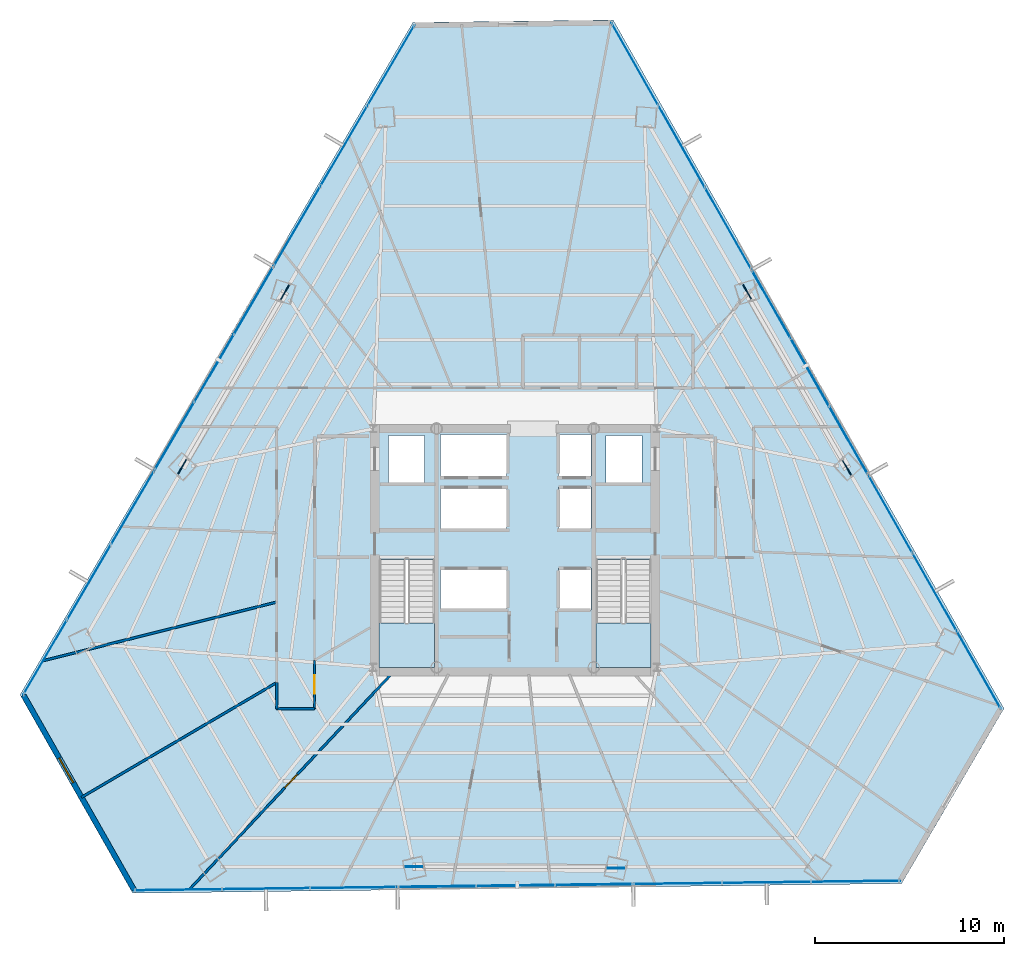
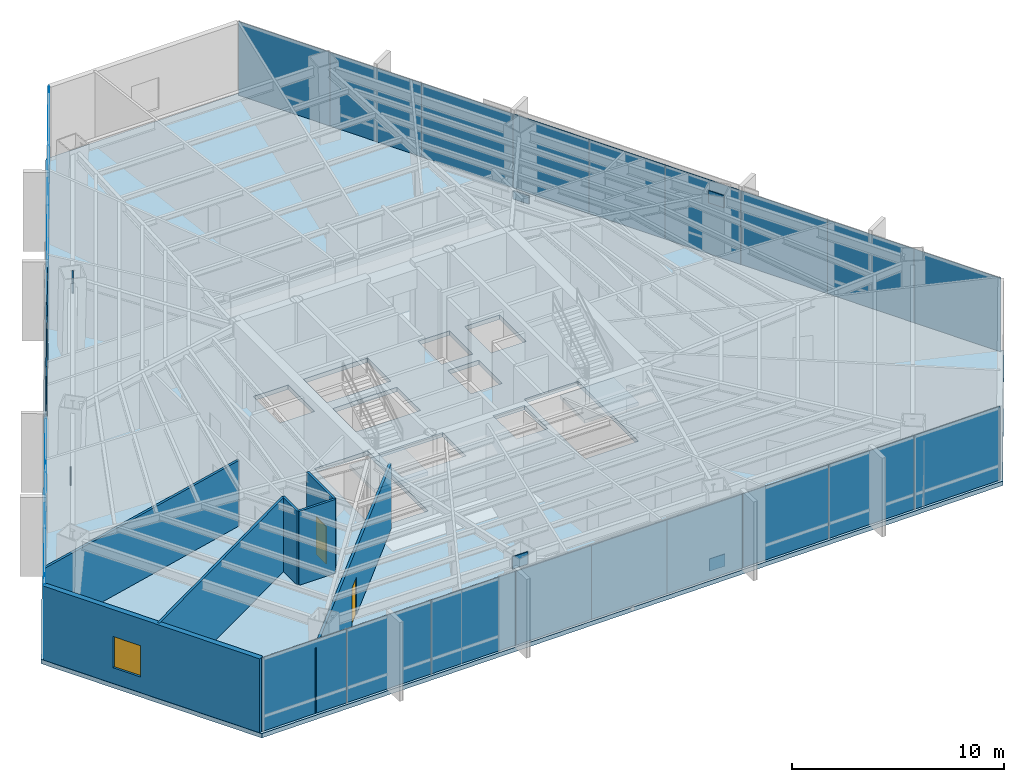
# One storey, part 30 of 37: 33 plates, 7 walls, 3 slabs, 2 doors, 1 window, 3 openings, 11 elements without a shape of their own.
"""IFC4 building model written with IfcOpenShell, lengths in metres."""

from ifc_helpers import new_model, si_unit, direction, frame, frame_2d, origin, origin_2d, place, context, subcontext, project, spatial, polyline, rectangle, outline, extrude, source, transform, mapped, material, layer, layer_set, type_object, type_shapes, element, fill, aggregate, save


model = new_model("IFC4")

# Units and contexts
model_context = context("Model", 3, precision=1e-05, world=origin(), true_north=direction((0.0, 1.0)))
body_context = subcontext(model_context, "Body", "Model", "MODEL_VIEW")
ifc_project = project(units=[si_unit("LENGTHUNIT", "METRE"), si_unit("AREAUNIT", "SQUARE_METRE"), si_unit("VOLUMEUNIT", "CUBIC_METRE"), si_unit("PLANEANGLEUNIT", "RADIAN"), si_unit("MASSUNIT", "GRAM", prefix="KILO")], contexts=[model_context])

# Site, building, storey
site_placement = place(None, origin())
site = spatial("IfcSite", under=ifc_project, at=site_placement, CompositionType="ELEMENT")
building_placement = place(site_placement, origin())
building = spatial("IfcBuilding", under=site, at=building_placement, Name="Caelisora Broadcast Tower", CompositionType="ELEMENT")
storey_placement = place(building_placement, frame((0.0, 0.0, 127.300048828125)))
storey = spatial("IfcBuildingStorey", under=building, at=storey_placement, Name="L33", CompositionType="ELEMENT", Elevation=127.300048828125)

# Slab
ifc_material_1 = material(Name="Concrete 40 MPa (AS 3600 N40)", Category="concrete")
ifc_layer_1 = layer(ifc_material_1, 0.25, Name="Concrete 40 MPa (AS 3600 N40)")
ifc_layer_set_1 = layer_set([ifc_layer_1], Name="Concrete 40 MPa (AS 3600 N40)")
slab_type_1 = type_object("IfcSlabType", Name="SL04", PredefinedType="FLOOR", material=ifc_layer_set_1)
slab_1_placement = place(storey_placement, frame((0.0, 0.0, -0.25)))
element("IfcSlab", 1, at=slab_1_placement, inside=storey, type_object=slab_type_1, Name="L33 suspended floor SL04", PredefinedType="FLOOR", context=body_context, shape_type="SweptSolid", body=[
    extrude(outline(polyline([(43.176025390625, 51.5869140625), (32.593994140625, 51.4541015625), (11.845947265625, 15.947021484375), (17.797119140625, 5.464111328125), (58.4130859375, 5.972900390625), (63.819091796875, 15.222900390625), (43.176025390625, 51.5869140625)]), holes=[polyline([(30.820068359375, 17.39990234375), (33.739990234375, 17.39990234375), (33.739990234375, 23.080078125), (30.820068359375, 23.080078125), (30.820068359375, 17.39990234375)]), polyline([(42.260009765625, 17.39990234375), (45.179931640625, 17.39990234375), (45.179931640625, 23.080078125), (42.260009765625, 23.080078125), (42.260009765625, 17.39990234375)]), polyline([(42.800048828125, 27.14990234375), (44.699951171875, 27.14990234375), (44.699951171875, 29.64990234375), (42.800048828125, 29.64990234375), (42.800048828125, 27.14990234375)]), polyline([(40.300048828125, 20.429931640625), (42.0, 20.429931640625), (42.0, 22.6298828125), (40.300048828125, 22.6298828125), (40.300048828125, 20.429931640625)]), polyline([(40.300048828125, 24.719970703125), (42.0, 24.719970703125), (42.0, 26.919921875), (40.300048828125, 26.919921875), (40.300048828125, 24.719970703125)]), polyline([(40.300048828125, 27.5), (42.0, 27.5), (42.0, 29.699951171875), (40.300048828125, 29.699951171875), (40.300048828125, 27.5)]), polyline([(34.050048828125, 20.429931640625), (37.550048828125, 20.429931640625), (37.550048828125, 22.6298828125), (34.050048828125, 22.6298828125), (34.050048828125, 20.429931640625)]), polyline([(34.050048828125, 24.719970703125), (37.550048828125, 24.719970703125), (37.550048828125, 26.919921875), (34.050048828125, 26.919921875), (34.050048828125, 24.719970703125)]), polyline([(34.050048828125, 27.5), (37.550048828125, 27.5), (37.550048828125, 29.699951171875), (34.050048828125, 29.699951171875), (34.050048828125, 27.5)]), polyline([(31.300048828125, 27.14990234375), (33.199951171875, 27.14990234375), (33.199951171875, 29.64990234375), (31.300048828125, 29.64990234375), (31.300048828125, 27.14990234375)])]), origin(), (0.0, 0.0, 1.0), 0.25),
])

# Stair, slab
stair_type_1 = type_object("IfcStairType", Name="ST-1", PredefinedType="HALF_TURN_STAIR", material=ifc_material_1)
stair_1_placement = place(storey_placement, origin())
stair_1 = element("IfcStair", 2, at=stair_1_placement, inside=storey, type_object=stair_type_1, Name="L33 West Fire-Isolated Tower Stair", PredefinedType="HALF_TURN_STAIR")
ifc_layer_2 = layer(ifc_material_1, 0.199951171875, Name="Concrete 40 MPa (AS 3600 N40)")
ifc_layer_set_2 = layer_set([ifc_layer_2], Name="Concrete 40 MPa (AS 3600 N40)")
slab_type_2 = type_object("IfcSlabType", Name="STL-1", PredefinedType="LANDING", material=ifc_layer_set_2)
slab_2_placement = place(storey_placement, frame((0.0, 0.0, 2.050048828125)))
slab_2 = element("IfcSlab", 3, at=slab_2_placement, type_object=slab_type_2, Name="ST-1 landing 1", PredefinedType="LANDING", context=body_context, shape_type="SweptSolid", body=[
    extrude(outline(polyline([(30.820068359375, 19.739990234375), (30.820068359375, 17.39990234375), (33.739990234375, 17.39990234375), (33.739990234375, 19.739990234375), (30.820068359375, 19.739990234375)])), origin(), (0.0, 0.0, 1.0), 0.199951171875),
])
aggregate(stair_1, [slab_2])

stair_type_2 = type_object("IfcStairType", Name="ST-2", PredefinedType="HALF_TURN_STAIR", material=ifc_material_1)
stair_2_placement = place(storey_placement, origin())
stair_2 = element("IfcStair", 4, at=stair_2_placement, inside=storey, type_object=stair_type_2, Name="L33 East Fire-Isolated Tower Stair", PredefinedType="HALF_TURN_STAIR")
slab_3_placement = place(storey_placement, frame((0.0, 0.0, 2.050048828125)))
slab_3 = element("IfcSlab", 5, at=slab_3_placement, type_object=slab_type_2, Name="ST-2 landing 1", PredefinedType="LANDING", context=body_context, shape_type="SweptSolid", body=[
    extrude(outline(polyline([(42.260009765625, 19.739990234375), (42.260009765625, 17.39990234375), (45.179931640625, 17.39990234375), (45.179931640625, 19.739990234375), (42.260009765625, 19.739990234375)])), origin(), (0.0, 0.0, 1.0), 0.199951171875),
])
aggregate(stair_2, [slab_3])

# Plates
ifc_material_2 = material(Name="Steel Grade 350 L15 (AS/NZS 3678)", Category="steel")
ifc_layer_3 = layer(ifc_material_2, 0.050048828125, Name="Steel Grade 350 L15 (AS/NZS 3678)")
ifc_layer_set_3 = layer_set([ifc_layer_3], Name="Steel Grade 350 L15 (AS/NZS 3678)")
plate_type_1 = type_object("IfcPlateType", Name="GP03", PredefinedType="USERDEFINED", material=ifc_layer_set_3)
shared_shape_1 = source(origin(), body_context, "Body", "SweptSolid", [
    extrude(rectangle(XDim=0.85009765625, YDim=0.050048828125, at=origin_2d()), origin(), (0.0, 0.0, 1.0), 0.699951171875),
])
type_shapes(plate_type_1, [shared_shape_1])
for number, where, z_axis, x_axis, name in (
    (6, (25.832275390625, 37.197265625, 3.580078125), (0.0, 0.0, 1.0), (-0.5, -0.866025403784, 0.0), "L33 gusset plate GP03 (ND-L33-C02T)"),
    (7, (20.419921875, 28.0009765625, -0.22998046875), (0.0, 0.0, 1.0), (-0.5, -0.866025403784, 0.0), "L33 gusset plate GP03 (ND-L33-C03B)"),
    (8, (32.65478515625, 6.864013671875, 3.580078125), (0.0, 0.0, 1.0), (1.0, 0.0, 0.0), "L33 gusset plate GP03 (ND-L33-C06T)"),
    (9, (43.324951171875, 6.77490234375, -0.22998046875), (0.0, 0.0, 1.0), (1.0, 0.0, 0.0), "L33 gusset plate GP03 (ND-L33-C07B)"),
    (10, (55.512939453125, 27.93896484375, 3.580078125), (0.0, 0.0, 1.0), (-0.5, 0.866025403784, 0.0), "L33 gusset plate GP03 (ND-L33-C10T)"),
    (11, (50.2548828125, 37.22412109375, -0.22998046875), (0.0, 0.0, 1.0), (-0.5, 0.866025403784, 0.0), "L33 gusset plate GP03 (ND-L33-C11B)"),
):
    element("IfcPlate", number, at=place(storey_placement, frame(where, z_axis=z_axis, x_axis=x_axis)), inside=storey, type_object=plate_type_1, Name=name, ObjectType="GUSSET PLATE", PredefinedType="USERDEFINED", context=body_context, shape_type="MappedRepresentation", body=[
        mapped(shared_shape_1, transform((0.0, 0.0, 0.0), scale=1.0)),
    ])

# Curtain wall, plates
ifc_material_3 = material(Name="Unitised Aluminium and Low-E Glass Curtain Wall", Category="glass")
curtain_wall_type_1 = type_object("IfcCurtainWallType", Name="CW-SKY", PredefinedType="NOTDEFINED", material=ifc_material_3)
curtain_wall_1_placement = place(storey_placement, origin())
curtain_wall_1 = element("IfcCurtainWall", 12, at=curtain_wall_1_placement, inside=storey, type_object=curtain_wall_type_1, Name="L33 curtain wall CW-SKY", PredefinedType="NOTDEFINED")
ifc_material_4 = material(Name="Double Glazed Low-E Argon IGU", Category="glass")
ifc_layer_4 = layer(ifc_material_4, 0.02587890625, Name="Double Glazed Low-E Argon IGU")
ifc_layer_set_4 = layer_set([ifc_layer_4], Name="Double Glazed Low-E Argon IGU")
plate_type_2 = type_object("IfcPlateType", Name="CWP-07", PredefinedType="CURTAIN_PANEL", material=ifc_layer_set_4)
shared_shape_2 = source(origin(), body_context, "Body", "SweptSolid", [
    extrude(rectangle(XDim=4.997314453125, YDim=0.02587890625, at=origin_2d()), origin(), (0.0, 0.0, 1.0), 4.25),
])
plate_1_placement = place(storey_placement, frame((44.322509765625, 49.26318359375, 0.0), z_axis=(0.0, 0.0, 1.0), x_axis=(0.493638325511, -0.869667294767, 0.0)))
plate_1 = element("IfcPlate", 13, at=plate_1_placement, type_object=plate_type_2, Name="L33-CW-B01 glazed panel #1", PredefinedType="CURTAIN_PANEL", context=body_context, shape_type="MappedRepresentation", body=[
    mapped(shared_shape_2, transform((0.0, 0.0, 0.0), scale=1.0)),
])
plate_2_placement = place(storey_placement, frame((46.78955078125, 44.917236328125, 0.0), z_axis=(0.0, 0.0, 1.0), x_axis=(0.493638325511, -0.869667294767, 0.0)))
plate_2 = element("IfcPlate", 14, at=plate_2_placement, type_object=plate_type_2, Name="L33-CW-B01 glazed panel #2", PredefinedType="CURTAIN_PANEL", context=body_context, shape_type="MappedRepresentation", body=[
    mapped(shared_shape_2, transform((0.0, 0.0, 0.0), scale=1.0)),
])
plate_3_placement = place(storey_placement, frame((49.256591796875, 40.5712890625, 0.0), z_axis=(0.0, 0.0, 1.0), x_axis=(0.493638325511, -0.869667294767, 0.0)))
plate_3 = element("IfcPlate", 15, at=plate_3_placement, type_object=plate_type_2, Name="L33-CW-B01 glazed panel #3", PredefinedType="CURTAIN_PANEL", context=body_context, shape_type="MappedRepresentation", body=[
    mapped(shared_shape_2, transform((0.0, 0.0, 0.0), scale=1.0)),
])
aggregate(curtain_wall_1, [plate_1, plate_2, plate_3])

ifc_material_5 = material(Name="Unitised Aluminium Insulated Shadow-Box Spandrel Curtain Wall", Category="aluminium")
curtain_wall_type_2 = type_object("IfcCurtainWallType", Name="CW-SP2", PredefinedType="NOTDEFINED", material=ifc_material_5)
curtain_wall_2_placement = place(storey_placement, origin())
curtain_wall_2 = element("IfcCurtainWall", 16, at=curtain_wall_2_placement, inside=storey, type_object=curtain_wall_type_2, Name="L33 curtain wall CW-SP2", PredefinedType="NOTDEFINED")
ifc_material_6 = material(Name="Insulated Terracotta Shadow-Box Spandrel Panel", Category="aluminium")
ifc_layer_5 = layer(ifc_material_6, 0.0439453125, Name="Insulated Terracotta Shadow-Box Spandrel Panel")
ifc_layer_set_5 = layer_set([ifc_layer_5], Name="Insulated Terracotta Shadow-Box Spandrel Panel")
plate_type_3 = type_object("IfcPlateType", Name="CWP-10", PredefinedType="CURTAIN_PANEL", material=ifc_layer_set_5)
shared_shape_3 = source(origin(), body_context, "Body", "SweptSolid", [
    extrude(rectangle(XDim=4.146484375, YDim=0.0439453125, at=origin_2d()), origin(), (0.0, 0.0, 1.0), 4.25),
])
type_shapes(plate_type_3, [shared_shape_3])
plate_4_placement = place(storey_placement, frame((51.518798828125, 36.586669921875, 0.0), z_axis=(0.0, 0.0, 1.0), x_axis=(0.493638325511, -0.869667294767, 0.0)))
plate_4 = element("IfcPlate", 17, at=plate_4_placement, type_object=plate_type_3, Name="L33-CW-B02 spandrel panel #1", PredefinedType="CURTAIN_PANEL", context=body_context, shape_type="MappedRepresentation", body=[
    mapped(shared_shape_3, transform((0.0, 0.0, 0.0), scale=1.0)),
])
plate_5_placement = place(storey_placement, frame((53.56591796875, 32.980712890625, 0.0), z_axis=(0.0, 0.0, 1.0), x_axis=(0.493638325511, -0.869667294767, 0.0)))
plate_5 = element("IfcPlate", 18, at=plate_5_placement, type_object=plate_type_3, Name="L33-CW-B02 spandrel panel #2", PredefinedType="CURTAIN_PANEL", context=body_context, shape_type="MappedRepresentation", body=[
    mapped(shared_shape_3, transform((0.0, 0.0, 0.0), scale=1.0)),
])
plate_6_placement = place(storey_placement, frame((55.61279296875, 29.37451171875, 0.0), z_axis=(0.0, 0.0, 1.0), x_axis=(0.493638325511, -0.869667294767, 0.0)))
plate_6 = element("IfcPlate", 19, at=plate_6_placement, type_object=plate_type_3, Name="L33-CW-B02 spandrel panel #3", PredefinedType="CURTAIN_PANEL", context=body_context, shape_type="MappedRepresentation", body=[
    mapped(shared_shape_3, transform((0.0, 0.0, 0.0), scale=1.0)),
])
aggregate(curtain_wall_2, [plate_4, plate_5, plate_6])

curtain_wall_3_placement = place(storey_placement, origin())
curtain_wall_3 = element("IfcCurtainWall", 20, at=curtain_wall_3_placement, inside=storey, type_object=curtain_wall_type_2, Name="L33 curtain wall CW-SP2", PredefinedType="NOTDEFINED")
plate_7_placement = place(storey_placement, frame((42.157470703125, 5.919189453125, 0.0), z_axis=(0.0, 0.0, 1.0), x_axis=(-0.999921044204, -0.012566039883, 0.0)))
plate_7 = element("IfcPlate", 21, at=plate_7_placement, type_object=plate_type_3, Name="L33-CW-B06 spandrel panel #1", PredefinedType="CURTAIN_PANEL", context=body_context, shape_type="MappedRepresentation", body=[
    mapped(shared_shape_3, transform((0.0, 0.0, 0.0), scale=1.0)),
])
plate_8_placement = place(storey_placement, frame((38.011474609375, 5.8671875, 0.0), z_axis=(0.0, 0.0, 1.0), x_axis=(-0.999921044204, -0.012566039883, 0.0)))
plate_8 = element("IfcPlate", 22, at=plate_8_placement, type_object=plate_type_3, Name="L33-CW-B06 spandrel panel #2", PredefinedType="CURTAIN_PANEL", context=body_context, shape_type="MappedRepresentation", body=[
    mapped(shared_shape_3, transform((0.0, 0.0, 0.0), scale=1.0)),
])
plate_9_placement = place(storey_placement, frame((33.865234375, 5.815185546875, 0.0), z_axis=(0.0, 0.0, 1.0), x_axis=(-0.999921044204, -0.012566039883, 0.0)))
plate_9 = element("IfcPlate", 23, at=plate_9_placement, type_object=plate_type_3, Name="L33-CW-B06 spandrel panel #3", PredefinedType="CURTAIN_PANEL", context=body_context, shape_type="MappedRepresentation", body=[
    mapped(shared_shape_3, transform((0.0, 0.0, 0.0), scale=1.0)),
])
aggregate(curtain_wall_3, [plate_7, plate_8, plate_9])

curtain_wall_4_placement = place(storey_placement, origin())
curtain_wall_4 = element("IfcCurtainWall", 24, at=curtain_wall_4_placement, inside=storey, type_object=curtain_wall_type_2, Name="L33 curtain wall CW-SP2", PredefinedType="NOTDEFINED")
plate_10_placement = place(storey_placement, frame((20.003173828125, 29.609375, 0.0), z_axis=(0.0, 0.0, 1.0), x_axis=(0.504527623815, 0.863395550607, 0.0)))
plate_10 = element("IfcPlate", 25, at=plate_10_placement, type_object=plate_type_3, Name="L33-CW-B10 spandrel panel #1", PredefinedType="CURTAIN_PANEL", context=body_context, shape_type="MappedRepresentation", body=[
    mapped(shared_shape_3, transform((0.0, 0.0, 0.0), scale=1.0)),
])
plate_11_placement = place(storey_placement, frame((22.09521484375, 33.189453125, 0.0), z_axis=(0.0, 0.0, 1.0), x_axis=(0.504527623815, 0.863395550607, 0.0)))
plate_11 = element("IfcPlate", 26, at=plate_11_placement, type_object=plate_type_3, Name="L33-CW-B10 spandrel panel #2", PredefinedType="CURTAIN_PANEL", context=body_context, shape_type="MappedRepresentation", body=[
    mapped(shared_shape_3, transform((0.0, 0.0, 0.0), scale=1.0)),
])
plate_12_placement = place(storey_placement, frame((24.187255859375, 36.769775390625, 0.0), z_axis=(0.0, 0.0, 1.0), x_axis=(0.504527623815, 0.863395550607, 0.0)))
plate_12 = element("IfcPlate", 27, at=plate_12_placement, type_object=plate_type_3, Name="L33-CW-B10 spandrel panel #3", PredefinedType="CURTAIN_PANEL", context=body_context, shape_type="MappedRepresentation", body=[
    mapped(shared_shape_3, transform((0.0, 0.0, 0.0), scale=1.0)),
])
aggregate(curtain_wall_4, [plate_10, plate_11, plate_12])

curtain_wall_5_placement = place(storey_placement, origin())
curtain_wall_5 = element("IfcCurtainWall", 28, at=curtain_wall_5_placement, inside=storey, type_object=curtain_wall_type_1, Name="L33 curtain wall CW-SKY", PredefinedType="NOTDEFINED")
shared_shape_4 = source(origin(), body_context, "Body", "SweptSolid", [
    extrude(rectangle(XDim=4.7294921875, YDim=0.02587890625, at=origin_2d()), origin(), (0.0, 0.0, 1.0), 4.25),
])
plate_13_placement = place(storey_placement, frame((57.808837890625, 25.50634765625, 0.0), z_axis=(0.0, 0.0, 1.0), x_axis=(0.493638325511, -0.869667294767, 0.0)))
plate_13 = element("IfcPlate", 29, at=plate_13_placement, type_object=plate_type_2, Name="L33-CW-B03 glazed panel #1", PredefinedType="CURTAIN_PANEL", context=body_context, shape_type="MappedRepresentation", body=[
    mapped(shared_shape_4, transform((0.0, 0.0, 0.0), scale=1.0)),
])
plate_14_placement = place(storey_placement, frame((60.143798828125, 21.393310546875, 0.0), z_axis=(0.0, 0.0, 1.0), x_axis=(0.493638325511, -0.869667294767, 0.0)))
plate_14 = element("IfcPlate", 30, at=plate_14_placement, type_object=plate_type_2, Name="L33-CW-B03 glazed panel #2", PredefinedType="CURTAIN_PANEL", context=body_context, shape_type="MappedRepresentation", body=[
    mapped(shared_shape_4, transform((0.0, 0.0, 0.0), scale=1.0)),
])
plate_15_placement = place(storey_placement, frame((62.478515625, 17.280517578125, 0.0), z_axis=(0.0, 0.0, 1.0), x_axis=(0.493638325511, -0.869667294767, 0.0)))
plate_15 = element("IfcPlate", 31, at=plate_15_placement, type_object=plate_type_2, Name="L33-CW-B03 glazed panel #3", PredefinedType="CURTAIN_PANEL", context=body_context, shape_type="MappedRepresentation", body=[
    mapped(shared_shape_4, transform((0.0, 0.0, 0.0), scale=1.0)),
])
aggregate(curtain_wall_5, [plate_13, plate_14, plate_15])

curtain_wall_6_placement = place(storey_placement, origin())
curtain_wall_6 = element("IfcCurtainWall", 32, at=curtain_wall_6_placement, inside=storey, type_object=curtain_wall_type_1, Name="L33 curtain wall CW-SKY", PredefinedType="NOTDEFINED")
shared_shape_5 = source(origin(), body_context, "Body", "SweptSolid", [
    extrude(rectangle(XDim=4.695556640625, YDim=0.02587890625, at=origin_2d()), origin(), (0.0, 0.0, 1.0), 4.25),
])
plate_16_placement = place(storey_placement, frame((55.978515625, 6.092529296875, 0.0), z_axis=(0.0, 0.0, 1.0), x_axis=(-0.999921044204, -0.012566039883, 0.0)))
plate_16 = element("IfcPlate", 33, at=plate_16_placement, type_object=plate_type_2, Name="L33-CW-B05 glazed panel #1", PredefinedType="CURTAIN_PANEL", context=body_context, shape_type="MappedRepresentation", body=[
    mapped(shared_shape_5, transform((0.0, 0.0, 0.0), scale=1.0)),
])
plate_17_placement = place(storey_placement, frame((51.283203125, 6.03369140625, 0.0), z_axis=(0.0, 0.0, 1.0), x_axis=(-0.999921044204, -0.012566039883, 0.0)))
plate_17 = element("IfcPlate", 34, at=plate_17_placement, type_object=plate_type_2, Name="L33-CW-B05 glazed panel #2", PredefinedType="CURTAIN_PANEL", context=body_context, shape_type="MappedRepresentation", body=[
    mapped(shared_shape_5, transform((0.0, 0.0, 0.0), scale=1.0)),
])
plate_18_placement = place(storey_placement, frame((46.588134765625, 5.974853515625, 0.0), z_axis=(0.0, 0.0, 1.0), x_axis=(-0.999921044204, -0.012566039883, 0.0)))
plate_18 = element("IfcPlate", 35, at=plate_18_placement, type_object=plate_type_2, Name="L33-CW-B05 glazed panel #3", PredefinedType="CURTAIN_PANEL", context=body_context, shape_type="MappedRepresentation", body=[
    mapped(shared_shape_5, transform((0.0, 0.0, 0.0), scale=1.0)),
])
aggregate(curtain_wall_6, [plate_16, plate_17, plate_18])

curtain_wall_7_placement = place(storey_placement, origin())
curtain_wall_7 = element("IfcCurtainWall", 36, at=curtain_wall_7_placement, inside=storey, type_object=curtain_wall_type_1, Name="L33 curtain wall CW-SKY", PredefinedType="NOTDEFINED")
shared_shape_6 = source(origin(), body_context, "Body", "SweptSolid", [
    extrude(rectangle(XDim=4.633056640625, YDim=0.02587890625, at=origin_2d()), origin(), (0.0, 0.0, 1.0), 4.25),
])
plate_19_placement = place(storey_placement, frame((29.4658203125, 5.76025390625, 0.0), z_axis=(0.0, 0.0, 1.0), x_axis=(-0.999921044204, -0.012566039883, 0.0)))
plate_19 = element("IfcPlate", 37, at=plate_19_placement, type_object=plate_type_2, Name="L33-CW-B07 glazed panel #1", PredefinedType="CURTAIN_PANEL", context=body_context, shape_type="MappedRepresentation", body=[
    mapped(shared_shape_6, transform((0.0, 0.0, 0.0), scale=1.0)),
])
plate_20_placement = place(storey_placement, frame((24.8330078125, 5.7021484375, 0.0), z_axis=(0.0, 0.0, 1.0), x_axis=(-0.999921044204, -0.012566039883, 0.0)))
plate_20 = element("IfcPlate", 38, at=plate_20_placement, type_object=plate_type_2, Name="L33-CW-B07 glazed panel #2", PredefinedType="CURTAIN_PANEL", context=body_context, shape_type="MappedRepresentation", body=[
    mapped(shared_shape_6, transform((0.0, 0.0, 0.0), scale=1.0)),
])
plate_21_placement = place(storey_placement, frame((20.200439453125, 5.64404296875, 0.0), z_axis=(0.0, 0.0, 1.0), x_axis=(-0.999921044204, -0.012566039883, 0.0)))
plate_21 = element("IfcPlate", 39, at=plate_21_placement, type_object=plate_type_2, Name="L33-CW-B07 glazed panel #3", PredefinedType="CURTAIN_PANEL", context=body_context, shape_type="MappedRepresentation", body=[
    mapped(shared_shape_6, transform((0.0, 0.0, 0.0), scale=1.0)),
])
aggregate(curtain_wall_7, [plate_19, plate_20, plate_21])

curtain_wall_8_placement = place(storey_placement, origin())
curtain_wall_8 = element("IfcCurtainWall", 40, at=curtain_wall_8_placement, inside=storey, type_object=curtain_wall_type_1, Name="L33 curtain wall CW-SKY", PredefinedType="NOTDEFINED")
shared_shape_7 = source(origin(), body_context, "Body", "SweptSolid", [
    extrude(rectangle(XDim=4.58056640625, YDim=0.02587890625, at=origin_2d()), origin(), (0.0, 0.0, 1.0), 4.25),
])
plate_22_placement = place(storey_placement, frame((13.174560546875, 17.92333984375, 0.0), z_axis=(0.0, 0.0, 1.0), x_axis=(0.504527623815, 0.863395550607, 0.0)))
plate_22 = element("IfcPlate", 41, at=plate_22_placement, type_object=plate_type_2, Name="L33-CW-B09 glazed panel #1", PredefinedType="CURTAIN_PANEL", context=body_context, shape_type="MappedRepresentation", body=[
    mapped(shared_shape_7, transform((0.0, 0.0, 0.0), scale=1.0)),
])
plate_23_placement = place(storey_placement, frame((15.485595703125, 21.87841796875, 0.0), z_axis=(0.0, 0.0, 1.0), x_axis=(0.504527623815, 0.863395550607, 0.0)))
plate_23 = element("IfcPlate", 42, at=plate_23_placement, type_object=plate_type_2, Name="L33-CW-B09 glazed panel #2", PredefinedType="CURTAIN_PANEL", context=body_context, shape_type="MappedRepresentation", body=[
    mapped(shared_shape_7, transform((0.0, 0.0, 0.0), scale=1.0)),
])
plate_24_placement = place(storey_placement, frame((17.796630859375, 25.833251953125, 0.0), z_axis=(0.0, 0.0, 1.0), x_axis=(0.504527623815, 0.863395550607, 0.0)))
plate_24 = element("IfcPlate", 43, at=plate_24_placement, type_object=plate_type_2, Name="L33-CW-B09 glazed panel #3", PredefinedType="CURTAIN_PANEL", context=body_context, shape_type="MappedRepresentation", body=[
    mapped(shared_shape_7, transform((0.0, 0.0, 0.0), scale=1.0)),
])
aggregate(curtain_wall_8, [plate_22, plate_23, plate_24])

curtain_wall_9_placement = place(storey_placement, origin())
curtain_wall_9 = element("IfcCurtainWall", 44, at=curtain_wall_9_placement, inside=storey, type_object=curtain_wall_type_1, Name="L33 curtain wall CW-SKY", PredefinedType="NOTDEFINED")
shared_shape_8 = source(origin(), body_context, "Body", "SweptSolid", [
    extrude(rectangle(XDim=4.917236328125, YDim=0.02587890625, at=origin_2d()), origin(), (0.0, 0.0, 1.0), 4.25),
])
type_shapes(plate_type_2, [shared_shape_2, shared_shape_4, shared_shape_5, shared_shape_6, shared_shape_7, shared_shape_8])
plate_25_placement = place(storey_placement, frame((26.478759765625, 40.691162109375, 0.0), z_axis=(0.0, 0.0, 1.0), x_axis=(0.504527623815, 0.863395550607, 0.0)))
plate_25 = element("IfcPlate", 45, at=plate_25_placement, type_object=plate_type_2, Name="L33-CW-B11 glazed panel #1", PredefinedType="CURTAIN_PANEL", context=body_context, shape_type="MappedRepresentation", body=[
    mapped(shared_shape_8, transform((0.0, 0.0, 0.0), scale=1.0)),
])
plate_26_placement = place(storey_placement, frame((28.959716796875, 44.936767578125, 0.0), z_axis=(0.0, 0.0, 1.0), x_axis=(0.504527623815, 0.863395550607, 0.0)))
plate_26 = element("IfcPlate", 46, at=plate_26_placement, type_object=plate_type_2, Name="L33-CW-B11 glazed panel #2", PredefinedType="CURTAIN_PANEL", context=body_context, shape_type="MappedRepresentation", body=[
    mapped(shared_shape_8, transform((0.0, 0.0, 0.0), scale=1.0)),
])
plate_27_placement = place(storey_placement, frame((31.440673828125, 49.18212890625, 0.0), z_axis=(0.0, 0.0, 1.0), x_axis=(0.504527623815, 0.863395550607, 0.0)))
plate_27 = element("IfcPlate", 47, at=plate_27_placement, type_object=plate_type_2, Name="L33-CW-B11 glazed panel #3", PredefinedType="CURTAIN_PANEL", context=body_context, shape_type="MappedRepresentation", body=[
    mapped(shared_shape_8, transform((0.0, 0.0, 0.0), scale=1.0)),
])
aggregate(curtain_wall_9, [plate_25, plate_26, plate_27])

# Wall, opening, window
ifc_material_7 = material(Name="Insulated Terracotta Spandrel Wall System", Category="masonry")
ifc_layer_6 = layer(ifc_material_7, 0.280029296875, Name="Insulated Terracotta Spandrel Wall System")
ifc_layer_set_6 = layer_set([ifc_layer_6], Name="Insulated Terracotta Spandrel Wall System")
wall_type_1 = type_object("IfcWallType", Name="EW1", PredefinedType="STANDARD", material=ifc_layer_set_6)
wall_1_placement = place(storey_placement, frame((17.869140625, 5.64111328125, 0.0), z_axis=(0.0, 0.0, 1.0), x_axis=(-0.493703475041, 0.86963031153, 0.0)))
wall_1 = element("IfcWall", 48, at=wall_1_placement, inside=storey, type_object=wall_type_1, Name="L33 exterior envelope wall EW1", PredefinedType="STANDARD", context=body_context, shape_type="SweptSolid", body=[
    extrude(rectangle(XDim=11.81982421875, YDim=0.280029296875, at=frame_2d((5.909912109375, 0.0))), origin(), (0.0, 0.0, 1.0), 4.25),
])
opening_1_placement = place(wall_1_placement, frame((6.510009765625, 0.0, 0.89990234375)))
opening_1 = element("IfcOpeningElement", 49, at=opening_1_placement, cuts=wall_1, Name="Opening W02", PredefinedType="OPENING", context=body_context, shape_type="SweptSolid", body=[
    extrude(rectangle(XDim=1.5, YDim=1.800048828125, at=frame_2d((0.75, 0.89990234375))), frame((0.0, 0.152099609375, 0.0), z_axis=(0.0, -1.0, 0.0), x_axis=(1.0, 0.0, 0.0)), (0.0, 0.0, 1.0), 0.303955078125),
])
ifc_material_8 = material(Name="Double Glazed Terracotta-Framed Vision Window", Category="glass")
window_type = type_object("IfcWindowType", Name="W02", PartitioningType="SINGLE_PANEL", PredefinedType="WINDOW", material=ifc_material_8)
window_placement = place(opening_1_placement, origin())
window = element("IfcWindow", 50, at=window_placement, inside=storey, type_object=window_type, Name="L33 window W02 (L33-WN-CH4)", OverallHeight=1.800048828125, OverallWidth=1.5, PartitioningType="SINGLE_PANEL", PredefinedType="WINDOW", context=body_context, shape_type="SweptSolid", body=[
    extrude(rectangle(XDim=1.5, YDim=1.800048828125, at=frame_2d((0.75, 0.89990234375))), frame((0.0, 0.030029296875, 0.0), z_axis=(0.0, -1.0, 0.0), x_axis=(1.0, 0.0, 0.0)), (0.0, 0.0, 1.0), 0.06005859375),
])
fill(opening_1, window)

# Wall, opening, door
ifc_material_9 = material(Name="Acoustic Steel-Stud Plasterboard Partition", Category="gypsum")
ifc_layer_7 = layer(ifc_material_9, 0.1298828125, Name="Acoustic Steel-Stud Plasterboard Partition")
ifc_layer_set_7 = layer_set([ifc_layer_7], Name="Acoustic Steel-Stud Plasterboard Partition")
wall_type_2 = type_object("IfcWallType", Name="PW3", PredefinedType="PARTITIONING", material=ifc_layer_set_7)
wall_2_placement = place(storey_placement, frame((20.780517578125, 5.646484375, 0.0), z_axis=(0.0, 0.0, 1.0), x_axis=(0.684024279875, 0.729459241179, 0.0)))
wall_2 = element("IfcWall", 51, at=wall_2_placement, inside=storey, type_object=wall_type_2, Name="L33 internal partition PW3", PredefinedType="PARTITIONING", context=body_context, shape_type="SweptSolid", body=[
    extrude(rectangle(XDim=15.6259765625, YDim=0.1298828125, at=frame_2d((7.81298828125, 0.0))), origin(), (0.0, 0.0, 1.0), 3.774658203125),
])
opening_2_placement = place(wall_2_placement, frame((7.39892578125, 0.0, 0.0)))
opening_2 = element("IfcOpeningElement", 52, at=opening_2_placement, cuts=wall_2, Name="Opening D01", PredefinedType="OPENING", context=body_context, shape_type="SweptSolid", body=[
    extrude(rectangle(XDim=0.9599609375, YDim=2.14990234375, at=frame_2d((0.47998046875, 1.074951171875))), frame((0.0, 0.076904296875, 0.0), z_axis=(0.0, -1.0, 0.0), x_axis=(1.0, 0.0, 0.0)), (0.0, 0.0, 1.0), 0.15380859375),
])
ifc_material_10 = material(Name="Solid-Core Timber Acoustic Office Door", Category="wood")
door_type = type_object("IfcDoorType", Name="D01", OperationType="NOTDEFINED", PredefinedType="DOOR", material=ifc_material_10)
door_1_placement = place(opening_2_placement, origin())
door_1 = element("IfcDoor", 53, at=door_1_placement, inside=storey, type_object=door_type, Name="L33 door D01 (L33-DR-P31D1)", OperationType="SINGLE_SWING_LEFT", OverallHeight=2.14990234375, OverallWidth=0.9599609375, PredefinedType="DOOR", context=body_context, shape_type="SweptSolid", body=[
    extrude(rectangle(XDim=0.9599609375, YDim=2.14990234375, at=frame_2d((0.47998046875, 1.074951171875))), frame((0.0, 0.02490234375, 0.0), z_axis=(0.0, -1.0, 0.0), x_axis=(1.0, 0.0, 0.0)), (0.0, 0.0, 1.0), 0.050048828125),
])
fill(opening_2, door_1)

# Walls
wall_3_placement = place(storey_placement, frame((13.063720703125, 17.74365234375, 0.0), z_axis=(0.0, 0.0, 1.0), x_axis=(0.969908228423, 0.243470795862, 0.0)))
element("IfcWall", 54, at=wall_3_placement, inside=storey, type_object=wall_type_2, Name="L33 internal partition PW3", PredefinedType="PARTITIONING", context=body_context, shape_type="SweptSolid", body=[
    extrude(rectangle(XDim=12.7138671875, YDim=0.1298828125, at=frame_2d((6.35693359375, 0.0))), origin(), (0.0, 0.0, 1.0), 3.774658203125),
])
wall_4_placement = place(storey_placement, frame((15.089599609375, 10.52685546875, 0.0), z_axis=(0.0, 0.0, 1.0), x_axis=(0.862026589139, 0.506863058051, 0.0)))
element("IfcWall", 55, at=wall_4_placement, inside=storey, type_object=wall_type_2, Name="L33 internal partition PW3", PredefinedType="PARTITIONING", context=body_context, shape_type="SweptSolid", body=[
    extrude(rectangle(XDim=11.9560546875, YDim=0.1298828125, at=frame_2d((5.97802734375, 0.0))), origin(), (0.0, 0.0, 1.0), 4.25),
])

# Wall, opening, door
wall_5_placement = place(storey_placement, frame((27.39990234375, 15.205078125, 0.0), z_axis=(0.0, 0.0, 1.0), x_axis=(0.0, 1.0, 0.0)))
wall_5 = element("IfcWall", 56, at=wall_5_placement, inside=storey, type_object=wall_type_2, Name="L33 internal partition PW3", PredefinedType="PARTITIONING", context=body_context, shape_type="SweptSolid", body=[
    extrude(rectangle(XDim=2.559814453125, YDim=0.1298828125, at=frame_2d((1.27978515625, 0.0))), origin(), (0.0, 0.0, 1.0), 4.25),
])
opening_3_placement = place(wall_5_placement, frame((0.800048828125, 0.0, 0.0)))
opening_3 = element("IfcOpeningElement", 57, at=opening_3_placement, cuts=wall_5, Name="Opening D01", PredefinedType="OPENING", context=body_context, shape_type="SweptSolid", body=[
    extrude(rectangle(XDim=0.9599609375, YDim=2.14990234375, at=frame_2d((0.47998046875, 1.074951171875))), frame((0.0, 0.076904296875, 0.0), z_axis=(0.0, -1.0, 0.0), x_axis=(1.0, 0.0, 0.0)), (0.0, 0.0, 1.0), 0.15380859375),
])
door_2_placement = place(opening_3_placement, origin())
door_2 = element("IfcDoor", 58, at=door_2_placement, inside=storey, type_object=door_type, Name="L33 door D01 (L33-DR-P58D1)", OperationType="SINGLE_SWING_LEFT", OverallHeight=2.14990234375, OverallWidth=0.9599609375, PredefinedType="DOOR", context=body_context, shape_type="SweptSolid", body=[
    extrude(rectangle(XDim=0.9599609375, YDim=2.14990234375, at=frame_2d((0.47998046875, 1.074951171875))), frame((0.0, 0.02490234375, 0.0), z_axis=(0.0, -1.0, 0.0), x_axis=(1.0, 0.0, 0.0)), (0.0, 0.0, 1.0), 0.050048828125),
])
fill(opening_3, door_2)

# Walls
wall_6_placement = place(storey_placement, frame((25.405029296875, 15.199951171875, 0.0), z_axis=(0.0, 0.0, 1.0), x_axis=(1.0, 0.0, 0.0)))
element("IfcWall", 59, at=wall_6_placement, inside=storey, type_object=wall_type_2, Name="L33 internal partition PW3", PredefinedType="PARTITIONING", context=body_context, shape_type="SweptSolid", body=[
    extrude(rectangle(XDim=1.989990234375, YDim=0.1298828125, at=frame_2d((0.9951171875, 0.0))), origin(), (0.0, 0.0, 1.0), 4.25),
])
wall_7_placement = place(storey_placement, frame((25.39990234375, 16.5849609375, 0.0), z_axis=(0.0, 0.0, 1.0), x_axis=(0.0, -1.0, 0.0)))
element("IfcWall", 60, at=wall_7_placement, inside=storey, type_object=wall_type_2, Name="L33 internal partition PW3", PredefinedType="PARTITIONING", context=body_context, shape_type="SweptSolid", body=[
    extrude(rectangle(XDim=1.3798828125, YDim=0.1298828125, at=frame_2d((0.68994140625, 0.0))), origin(), (0.0, 0.0, 1.0), 4.25),
])

save(model, "model.ifc")
